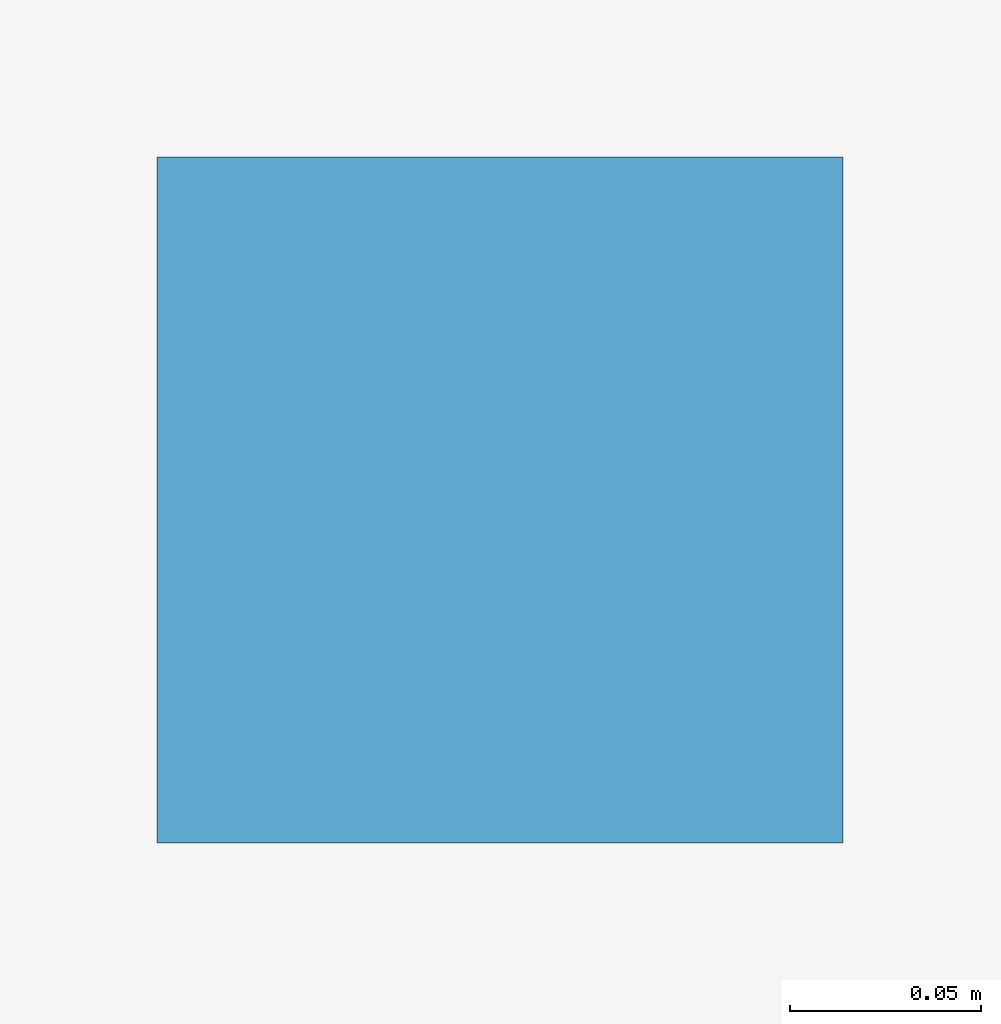
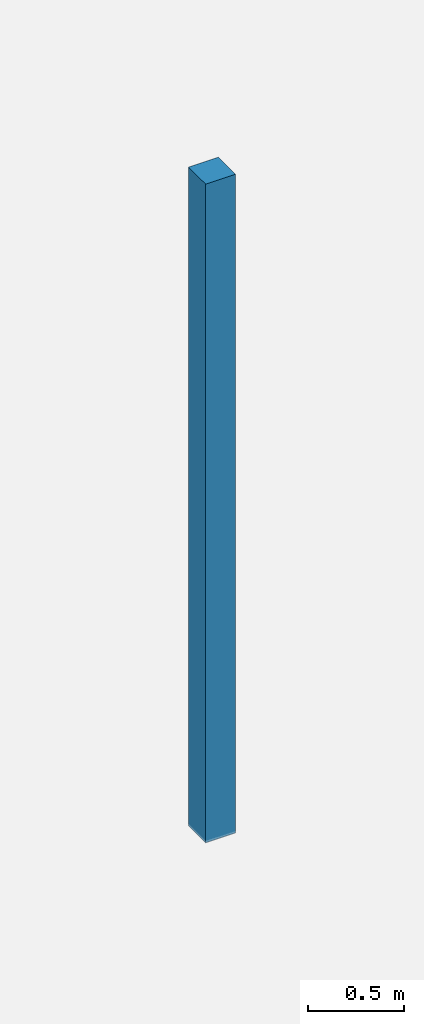
# One storey, part 98 of 116: 1 discrete accessory.
"""IFC4 building model written with IfcOpenShell, lengths in metres."""

from ifc_helpers import new_model, si_unit, direction, frame, origin, origin_2d, place, context, subcontext, project, spatial, rectangle, extrude, material, type_object, element, save


model = new_model("IFC4")

# Units and contexts
model_context = context("Model", 3, precision=1e-05, world=origin(), true_north=direction((0.0, 1.0)))
body_context = subcontext(model_context, "Body", "Model", "MODEL_VIEW")
ifc_project = project(units=[si_unit("LENGTHUNIT", "METRE"), si_unit("AREAUNIT", "SQUARE_METRE"), si_unit("VOLUMEUNIT", "CUBIC_METRE"), si_unit("PLANEANGLEUNIT", "RADIAN"), si_unit("MASSUNIT", "GRAM", prefix="KILO"), si_unit("THERMODYNAMICTEMPERATUREUNIT", "KELVIN"), si_unit("POWERUNIT", "WATT")], contexts=[model_context])

# Site, building, storey
site_placement = place(None, origin())
site = spatial("IfcSite", under=ifc_project, at=site_placement, CompositionType="ELEMENT")
building_placement = place(site_placement, origin())
building = spatial("IfcBuilding", under=site, at=building_placement, Name="Phaisarnlok Congress Hotel", CompositionType="ELEMENT")
storey_placement = place(building_placement, frame((0.0, 0.0, 10.5)))
storey = spatial("IfcBuildingStorey", under=building, at=storey_placement, Name="L02", CompositionType="ELEMENT", Elevation=10.5)

# Discrete accessory
ifc_material = material(Name="Steel S355", Category="steel")
discrete_accessory_type = type_object("IfcDiscreteAccessoryType", Name="ACC-HNG-STL", PredefinedType="BRACKET", material=ifc_material)
discrete_accessory_placement = place(storey_placement, frame((24.0, 102.0, 3.205078125), z_axis=(0.0, 0.0, 1.0), x_axis=(1.0, 0.0, 0.0)))
element("IfcDiscreteAccessory", 1, at=discrete_accessory_placement, inside=storey, type_object=discrete_accessory_type, Name="Acoustic ceiling steel suspension hanger BK-01", PredefinedType="BRACKET", context=body_context, shape_type="SweptSolid", body=[
    extrude(rectangle(XDim=0.179931640625, YDim=0.179931640625, at=origin_2d()), origin(), (0.0, 0.0, 1.0), 4.195068359375),
])

save(model, "model.ifc")
